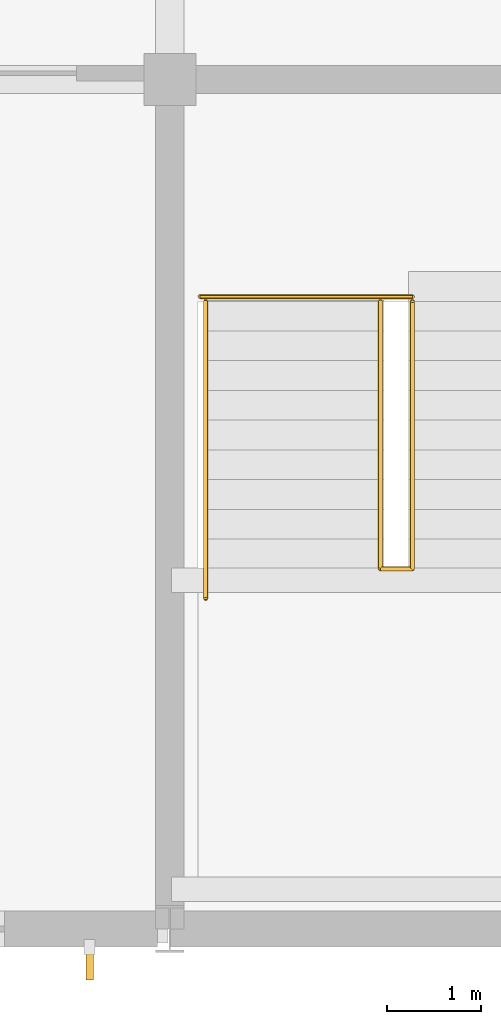
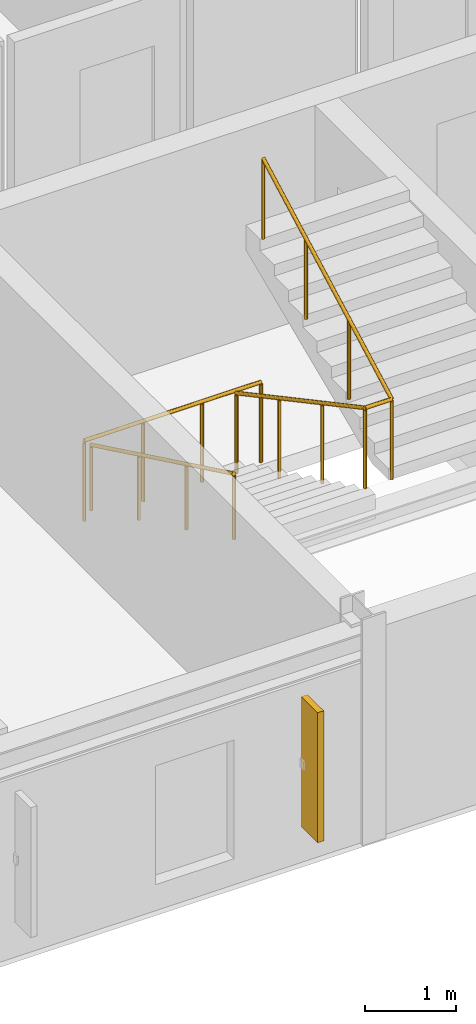
# One storey, part 35 of 37: 3 railings, 1 shading device.
"""IFC4 building model written with IfcOpenShell, lengths in metres."""

from ifc_helpers import new_model, si_unit, direction, frame, origin, origin_2d, place, context, subcontext, project, spatial, rectangle, circle, extrude, material, type_object, element, save


model = new_model("IFC4")

# Units and contexts
model_context = context("Model", 3, precision=1e-05, world=origin(), true_north=direction((0.0, 1.0)))
body_context = subcontext(model_context, "Body", "Model", "MODEL_VIEW")
ifc_project = project(units=[si_unit("LENGTHUNIT", "METRE"), si_unit("AREAUNIT", "SQUARE_METRE"), si_unit("VOLUMEUNIT", "CUBIC_METRE"), si_unit("PLANEANGLEUNIT", "RADIAN"), si_unit("MASSUNIT", "GRAM", prefix="KILO")], contexts=[model_context])

# Site, building, storey
site_placement = place(None, origin())
site = spatial("IfcSite", under=ifc_project, at=site_placement, CompositionType="ELEMENT")
building_placement = place(site_placement, origin())
building = spatial("IfcBuilding", under=site, at=building_placement, Name="Palais des Congres Ocreval", CompositionType="ELEMENT")
storey_placement = place(building_placement, frame((0.0, 0.0, 11.52001953125)))
storey = spatial("IfcBuildingStorey", under=building, at=storey_placement, Name="L03", CompositionType="ELEMENT", Elevation=11.52001953125)

# Railings
ifc_material_1 = material(Name="Anodized bronze aluminium", Category="aluminium")
railing_type_1 = type_object("IfcRailingType", Name="Bronze Stair and Ramp Handrail 900", PredefinedType="HANDRAIL", material=ifc_material_1)
railing_1_placement = place(storey_placement, frame((54.3798828125, 6.64990234375, 0.152099609375)))
element("IfcRailing", 1, at=railing_1_placement, inside=storey, type_object=railing_type_1, Name="Stair Wall Handrail ST04 L03", PredefinedType="HANDRAIL", context=body_context, shape_type="SweptSolid", body=[
    extrude(circle(Radius=0.02392578125, at=origin_2d()), frame((0.0, 0.0, 0.8759765625), z_axis=(0.0, -0.900648683885, 0.43454798149), x_axis=(1.0, 0.0, 0.0)), (0.0, 0.0, 1.0), 3.497314453125),
    extrude(circle(Radius=0.02099609375, at=origin_2d()), origin(), (0.0, 0.0, 1.0), 0.851806640625),
    extrude(circle(Radius=0.02099609375, at=origin_2d()), frame((0.0, -1.050048828125, 0.506591796875)), (0.0, 0.0, 1.0), 0.851806640625),
    extrude(circle(Radius=0.02099609375, at=origin_2d()), frame((0.0, -2.099853515625, 1.01318359375)), (0.0, 0.0, 1.0), 0.851806640625),
    extrude(circle(Radius=0.02099609375, at=origin_2d()), frame((0.0, -3.14990234375, 1.519775390625)), (0.0, 0.0, 1.0), 0.851806640625),
])
ifc_material_2 = material(Name="Steel S355", Category="steel")
railing_type_2 = type_object("IfcRailingType", Name="Stairwell Steel Guardrail 1100", PredefinedType="GUARDRAIL", material=ifc_material_2)
railing_2_placement = place(storey_placement, frame((54.320068359375, 6.699951171875, 0.0)))
element("IfcRailing", 2, at=railing_2_placement, inside=storey, type_object=railing_type_2, Name="Stairwell Landing Edge Guard ST04 L03", PredefinedType="GUARDRAIL", context=body_context, shape_type="SweptSolid", body=[
    extrude(circle(Radius=0.02392578125, at=origin_2d()), frame((0.0, 0.0, 1.076171875), z_axis=(1.0, 0.0, 0.0), x_axis=(0.0, 1.0, 0.0)), (0.0, 0.0, 1.0), 2.25),
    extrude(circle(Radius=0.02099609375, at=origin_2d()), origin(), (0.0, 0.0, 1.0), 1.052001953125),
    extrude(circle(Radius=0.02099609375, at=origin_2d()), frame((0.75, 0.0, 0.0)), (0.0, 0.0, 1.0), 1.052001953125),
    extrude(circle(Radius=0.02099609375, at=origin_2d()), frame((1.5, 0.0, 0.0)), (0.0, 0.0, 1.0), 1.052001953125),
    extrude(circle(Radius=0.02099609375, at=origin_2d()), frame((2.25, 0.0, 0.0)), (0.0, 0.0, 1.0), 1.052001953125),
])
railing_3_placement = place(storey_placement, frame((56.22998046875, 6.64990234375, 0.0)))
element("IfcRailing", 3, at=railing_3_placement, inside=storey, type_object=railing_type_2, Name="Stair Inner Guardrail ST04 L03", PredefinedType="GUARDRAIL", context=body_context, shape_type="SweptSolid", body=[
    extrude(circle(Radius=0.02392578125, at=origin_2d()), frame((0.0, 0.0, 1.076171875), z_axis=(0.0, -0.881312927046, 0.472533093678), x_axis=(1.0, 0.0, 0.0)), (0.0, 0.0, 1.0), 3.216796875),
    extrude(circle(Radius=0.02392578125, at=origin_2d()), frame((0.0, -2.8349609375, 2.59619140625), z_axis=(1.0, 0.0, 0.0), x_axis=(0.0, 1.0, 0.0)), (0.0, 0.0, 1.0), 0.340087890625),
    extrude(circle(Radius=0.02392578125, at=origin_2d()), frame((0.340087890625, -2.8349609375, 2.59619140625), z_axis=(0.0, 0.881312927046, 0.472533093678), x_axis=(-1.0, 0.0, 0.0)), (0.0, 0.0, 1.0), 3.216796875),
    extrude(circle(Radius=0.02099609375, at=origin_2d()), origin(), (0.0, 0.0, 1.0), 1.052001953125),
    extrude(circle(Radius=0.02099609375, at=origin_2d()), frame((0.0, -0.945068359375, 0.506591796875)), (0.0, 0.0, 1.0), 1.052001953125),
    extrude(circle(Radius=0.02099609375, at=origin_2d()), frame((0.0, -1.889892578125, 1.013427734375)), (0.0, 0.0, 1.0), 1.052001953125),
    extrude(circle(Radius=0.02099609375, at=origin_2d()), frame((0.0, -2.8349609375, 1.52001953125)), (0.0, 0.0, 1.0), 1.052001953125),
    extrude(circle(Radius=0.02099609375, at=origin_2d()), frame((0.340087890625, -2.8349609375, 1.52001953125)), (0.0, 0.0, 1.0), 1.052001953125),
    extrude(circle(Radius=0.02099609375, at=origin_2d()), frame((0.340087890625, -1.889892578125, 2.026611328125)), (0.0, 0.0, 1.0), 1.052001953125),
    extrude(circle(Radius=0.02099609375, at=origin_2d()), frame((0.340087890625, -0.945068359375, 2.533447265625)), (0.0, 0.0, 1.0), 1.052001953125),
    extrude(circle(Radius=0.02099609375, at=origin_2d()), frame((0.340087890625, 0.0, 3.0400390625)), (0.0, 0.0, 1.0), 1.052001953125),
])

# Shading device
ifc_material_3 = material(Name="Terracotta ceramic", Category="masonry")
shading_device_type = type_object("IfcShadingDeviceType", Name="Terracotta Ceramic Brise-Soleil Fin 360", PredefinedType="JALOUSIE", material=ifc_material_3)
shading_device_placement = place(storey_placement, frame((53.14990234375, -0.360107421875, 0.47509765625), z_axis=(0.0, 0.0, 1.0), x_axis=(0.0, -1.0, 0.0)))
element("IfcShadingDevice", 4, at=shading_device_placement, inside=storey, type_object=shading_device_type, Name="Ceramic Celosia Sun-Fin SD01", PredefinedType="JALOUSIE", context=body_context, shape_type="SweptSolid", body=[
    extrude(rectangle(XDim=0.360107421875, YDim=0.080078125, at=origin_2d()), origin(), (0.0, 0.0, 1.0), 1.75),
])

save(model, "model.ifc")
